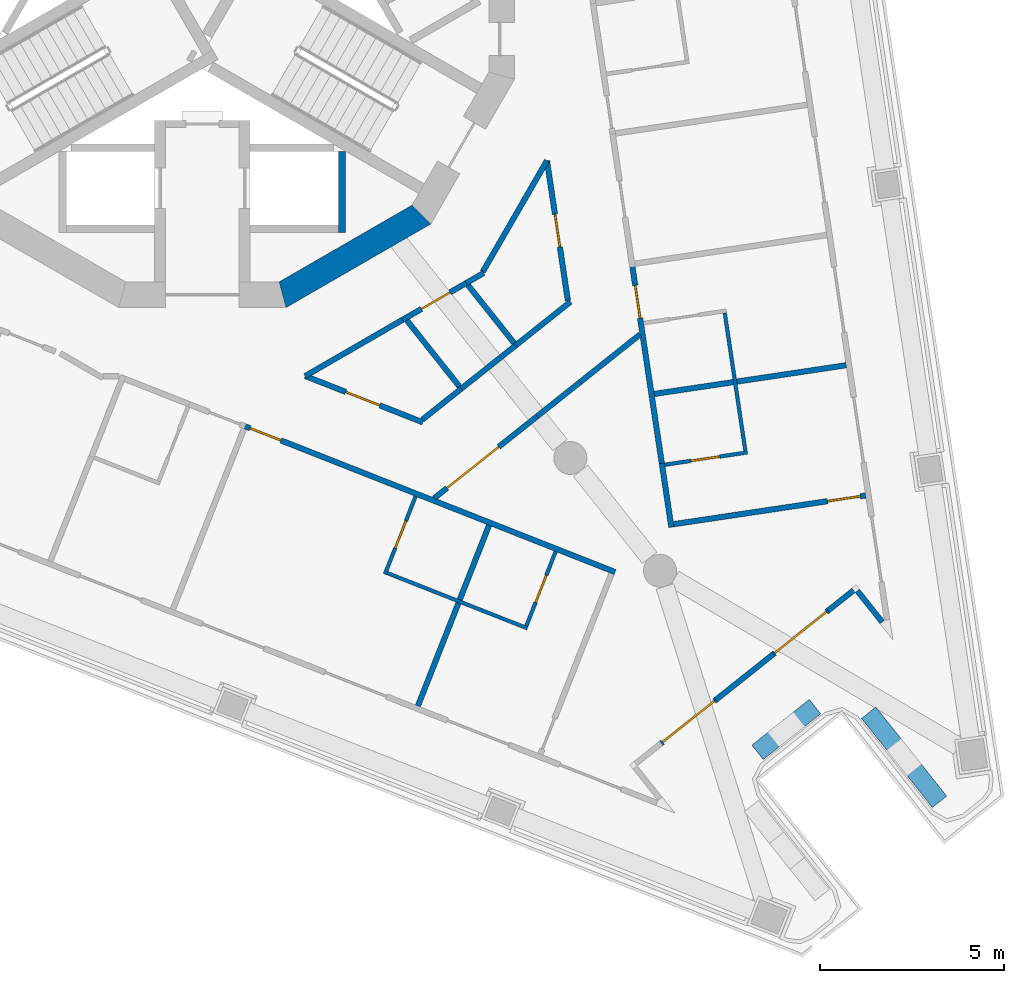
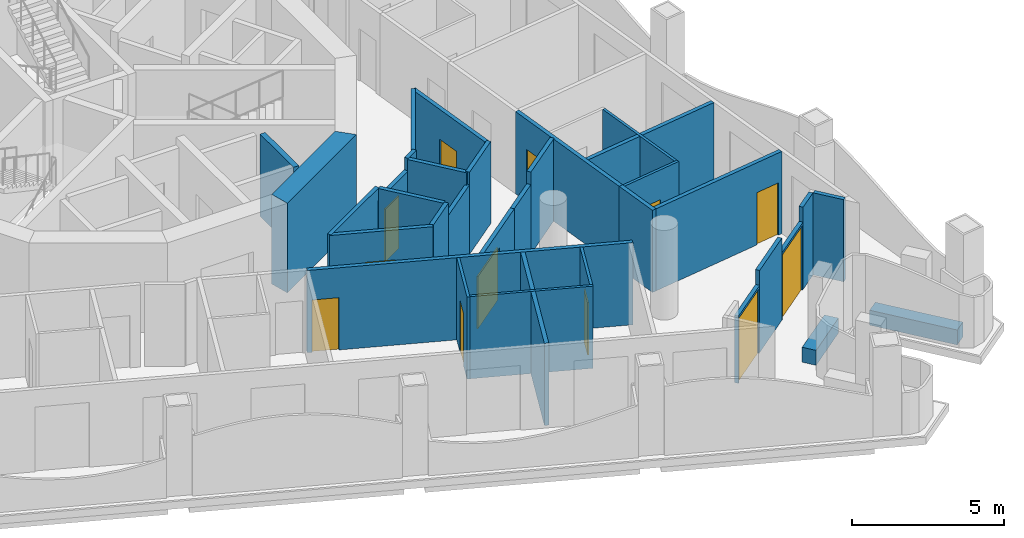
# One storey, part 5 of 17: 35 walls, 12 doors, 12 openings.
"""IFC4 building model written with IfcOpenShell, lengths in metres."""

import ifcopenshell
import ifcopenshell.guid

model = None  # the IFC model being written
_history = None  # IfcOwnerHistory: only IFC2X3 demands one
_inside = {}  # id of a spatial element -> (the spatial element, [elements in it])
_under = {}  # id of a project, library or spatial element -> (it, [spatial elements below it])
_declared = {}  # id of a project -> (the project, [libraries it declares])
_typed = {}  # id of a type object -> (the type object, [elements of that type])
_made_of = {}  # id of a material, layer set ... -> (it, [elements and type objects made of it])


def new_model(schema):
    """Start an empty IFC model of exactly this schema.

    Asked for "IFC4X3", IfcOpenShell would pick the latest addendum, in which some entities
    have other attributes; the version numbers below select the first issue.
    IFC2X3 requires an IfcOwnerHistory on every rooted entity: one is made here for all.
    """
    global model, _history
    if schema == "IFC4X3":
        model = ifcopenshell.file(schema_version=(4, 3, 0, 0))
    else:
        model = ifcopenshell.file(schema=schema)
    _inside.clear()
    _under.clear()
    _declared.clear()
    _typed.clear()
    _made_of.clear()
    _history = None
    if model.schema == "IFC2X3":
        org = make("IfcOrganization", Name="unknown")
        user = make(
            "IfcPersonAndOrganization",
            ThePerson=make("IfcPerson", FamilyName="unknown"),
            TheOrganization=org,
        )
        app = make(
            "IfcApplication",
            ApplicationDeveloper=org,
            Version="unknown",
            ApplicationFullName="unknown",
            ApplicationIdentifier="unknown",
        )
        _history = make(
            "IfcOwnerHistory",
            OwningUser=user,
            OwningApplication=app,
            ChangeAction="ADDED",
            CreationDate=0,
        )
    return model


def make(cls, **values):
    """One entity of the class cls with the attributes given. An attribute that is None is left unset."""
    return model.create_entity(
        cls, **{name: value for name, value in values.items() if value is not None}
    )


def rooted(cls, **values):
    """An entity with a GlobalId (a new one), such as an element, a storey or a relation."""
    return make(cls, GlobalId=ifcopenshell.guid.new(), OwnerHistory=_history, **values)


def si_unit(unit_type, name, prefix=None):
    """IfcSIUnit, for example si_unit("LENGTHUNIT", "METRE", prefix="MILLI")."""
    return make("IfcSIUnit", UnitType=unit_type, Prefix=prefix, Name=name)


def assignment(units):
    """IfcUnitAssignment: the units of a project."""
    return None if units is None else make("IfcUnitAssignment", Units=units)


def point(xyz):
    """IfcCartesianPoint."""
    return None if xyz is None else make("IfcCartesianPoint", Coordinates=xyz)


def direction(xyz):
    """IfcDirection."""
    return None if xyz is None else make("IfcDirection", DirectionRatios=xyz)


def frame(location, z_axis=None, x_axis=None):
    """IfcAxis2Placement3D, a coordinate frame: its origin and axes. An axis left out is left unset."""
    return make(
        "IfcAxis2Placement3D",
        Location=point(location),
        Axis=direction(z_axis),
        RefDirection=direction(x_axis),
    )


def frame_2d(location, x_axis=None):
    """IfcAxis2Placement2D, a coordinate frame in the plane: its origin and x axis."""
    return make(
        "IfcAxis2Placement2D", Location=point(location), RefDirection=direction(x_axis)
    )


def origin():
    """The frame at (0, 0, 0) with its axes left unset."""
    return frame((0.0, 0.0, 0.0))


def place(relative_to, where):
    """IfcLocalPlacement: puts the frame where relative to a parent placement (None: the world)."""
    return make(
        "IfcLocalPlacement", PlacementRelTo=relative_to, RelativePlacement=where
    )


def context(
    kind, dimensions, precision=None, world=None, true_north=None, identifier=None
):
    """IfcGeometricRepresentationContext, for example the 3D "Model" context."""
    return make(
        "IfcGeometricRepresentationContext",
        ContextIdentifier=identifier,
        ContextType=kind,
        CoordinateSpaceDimension=dimensions,
        Precision=precision,
        WorldCoordinateSystem=world,
        TrueNorth=true_north,
    )


def subcontext(parent, identifier, kind, view, scale=None):
    """IfcGeometricRepresentationSubContext, for example "Body" below "Model"."""
    return make(
        "IfcGeometricRepresentationSubContext",
        ContextIdentifier=identifier,
        ContextType=kind,
        ParentContext=parent,
        TargetScale=scale,
        TargetView=view,
    )


def project(units=None, contexts=None):
    """IfcProject with its units and contexts."""
    return rooted(
        "IfcProject",
        Name="project",
        RepresentationContexts=contexts,
        UnitsInContext=assignment(units),
    )


def spatial(cls, under=None, at=None, **own):
    """A site, building, storey or space (cls), placed at a placement, below another one or the project."""
    s = rooted(cls, ObjectPlacement=at, **own)
    if under is not None:
        _under.setdefault(under.id(), (under, []))[1].append(s)
    return s


def polyline(points):
    """IfcPolyline through the points."""
    return make("IfcPolyline", Points=[point(p) for p in points])


def profile(cls, at=None, kind="AREA", **sizes):
    """A parametric profile (cls). Its sizes go by their IFC names, for example OverallWidth=200.0."""
    return make(cls, ProfileType=kind, Position=at, **sizes)


def rectangle(**sizes):
    """IfcRectangleProfileDef."""
    return profile("IfcRectangleProfileDef", **sizes)


def outline(outer, holes=None, kind="AREA"):
    """IfcArbitraryClosedProfileDef: a profile drawn as a closed curve; with holes, ...WithVoids."""
    if holes is None:
        return make("IfcArbitraryClosedProfileDef", ProfileType=kind, OuterCurve=outer)
    return make(
        "IfcArbitraryProfileDefWithVoids",
        ProfileType=kind,
        OuterCurve=outer,
        InnerCurves=holes,
    )


def extrude(swept, where, along, depth):
    """IfcExtrudedAreaSolid: the profile swept, set in the frame where, extruded along a direction by depth."""
    return make(
        "IfcExtrudedAreaSolid",
        SweptArea=swept,
        Position=where,
        ExtrudedDirection=direction(along),
        Depth=depth,
    )


def shape(context_of_items, identifier, shape_type, items):
    """IfcShapeRepresentation: the items that make up one representation, for example the "Body"."""
    return make(
        "IfcShapeRepresentation",
        ContextOfItems=context_of_items,
        RepresentationIdentifier=identifier,
        RepresentationType=shape_type,
        Items=items,
    )


def material(Name=None, Category=None):
    """IfcMaterial."""
    return make("IfcMaterial", Name=Name, Category=Category)


def layer(
    of_material, thickness, ventilated=None, Name=None, Category=None, Priority=None
):
    """IfcMaterialLayer: one layer of a wall or slab, of a material (None: an air gap)."""
    return make(
        "IfcMaterialLayer",
        Material=of_material,
        LayerThickness=thickness,
        IsVentilated=ventilated,
        Name=Name,
        Category=Category,
        Priority=Priority,
    )


def layer_set(layers, Name=None):
    """IfcMaterialLayerSet."""
    return make("IfcMaterialLayerSet", MaterialLayers=layers, LayerSetName=Name)


def made_of(thing, what):
    """Note that an element or type object is made of a material, layer set ...; save() writes the relation."""
    if what is not None:
        _made_of.setdefault(what.id(), (what, []))[1].append(thing)
    return thing


def type_object(cls, material=None, **own):
    """A type object (cls), such as IfcWallType, which elements share."""
    return made_of(rooted(cls, **own), material)


def element(
    cls,
    number,
    at=None,
    inside=None,
    cuts=None,
    type_object=None,
    material=None,
    context=None,
    identifier="Body",
    shape_type=None,
    held_by="IfcProductDefinitionShape",
    body=None,
    shapes=None,
    **own,
):
    """One element of the class cls, such as IfcWall. Its Tag is "e" and its number.

    at: its placement. inside: the storey or other place that contains it. cuts: it is an
    opening in that element (IfcRelVoidsElement). A single representation is given by context,
    identifier, shape_type and body (its items); several are given by shapes. held_by: the class
    of the entity that holds the representations. save() writes the other relations.
    """
    e = rooted(cls, Tag="e%d" % number, ObjectPlacement=at, **own)
    if body is not None:
        shapes = [shape(context, identifier, shape_type, body)]
    if shapes is not None:
        e.Representation = make(held_by, Representations=shapes)
    if inside is not None:
        _inside.setdefault(inside.id(), (inside, []))[1].append(e)
    if cuts is not None:
        rooted(
            "IfcRelVoidsElement", RelatingBuildingElement=cuts, RelatedOpeningElement=e
        )
    if type_object is not None:
        _typed.setdefault(type_object.id(), (type_object, []))[1].append(e)
    return made_of(e, material)


def fill(opening, filler):
    """IfcRelFillsElement: the door or window that sits in an opening."""
    return rooted(
        "IfcRelFillsElement",
        RelatingOpeningElement=opening,
        RelatedBuildingElement=filler,
    )


def aggregate(whole, parts):
    """IfcRelAggregates: a whole, such as a stair, and the parts it consists of."""
    return rooted("IfcRelAggregates", RelatingObject=whole, RelatedObjects=parts)


def save(model, path):
    """Write the relations noted so far, then the file.

    IfcRelAggregates (storeys below a building ...), IfcRelContainedInSpatialStructure (elements
    in a storey), IfcRelDefinesByType, IfcRelAssociatesMaterial and IfcRelDeclares: one each for
    every whole, place, type object, material and project.
    """
    for whole, parts in _under.values():
        aggregate(whole, parts)
    for where, things in _inside.values():
        rooted(
            "IfcRelContainedInSpatialStructure",
            RelatedElements=things,
            RelatingStructure=where,
        )
    for kind, things in _typed.values():
        rooted("IfcRelDefinesByType", RelatedObjects=things, RelatingType=kind)
    for what, things in _made_of.values():
        rooted("IfcRelAssociatesMaterial", RelatedObjects=things, RelatingMaterial=what)
    for by, libraries in _declared.values():
        rooted("IfcRelDeclares", RelatingContext=by, RelatedDefinitions=libraries)
    model.write(path)


model = new_model("IFC4")

# Units and contexts
model_context = context("Model", 3, precision=1e-05, world=origin(), true_north=direction((0.0, 1.0)))
body_context = subcontext(model_context, "Body", "Model", "MODEL_VIEW")
ifc_project = project(units=[si_unit("LENGTHUNIT", "METRE"), si_unit("AREAUNIT", "SQUARE_METRE"), si_unit("VOLUMEUNIT", "CUBIC_METRE"), si_unit("PLANEANGLEUNIT", "RADIAN"), si_unit("MASSUNIT", "GRAM", prefix="KILO")], contexts=[model_context])

# Site, building, storey
site_placement = place(None, origin())
site = spatial("IfcSite", under=ifc_project, at=site_placement, CompositionType="ELEMENT")
building_placement = place(site_placement, origin())
building = spatial("IfcBuilding", under=site, at=building_placement, Name="Trine Commons Tower", CompositionType="ELEMENT")
storey_placement = place(building_placement, frame((0.0, 0.0, 212.39990234375)))
storey = spatial("IfcBuildingStorey", under=building, at=storey_placement, Name="L55", CompositionType="ELEMENT", Elevation=212.39990234375)

# Walls
ifc_material_1 = material(Name="Aluminium-framed insulated wall panel", Category="aluminium")
ifc_layer_1 = layer(ifc_material_1, 0.14990234375)
ifc_layer_set_1 = layer_set([ifc_layer_1], Name="Aluminium-framed insulated wall panel")
wall_type_1 = type_object("IfcWallType", Name="Glazed frame wall 150, EI 60", PredefinedType="SOLIDWALL", material=ifc_layer_set_1)
wall_1_placement = place(storey_placement, frame((98.603759765625, 45.320556640625, 0.0), z_axis=(0.0, 0.0, 1.0), x_axis=(-0.6225008228, 0.782619144676, 0.0)))
element("IfcWall", 1, at=wall_1_placement, inside=storey, type_object=wall_type_1, Name="Glazed frame wall R6", PredefinedType="SOLIDWALL", context=body_context, shape_type="SweptSolid", body=[
    extrude(outline(polyline([(0.1494140625, 0.074951171875), (0.1494140625, -0.074951171875), (1.235107421875, -0.074951171875), (1.235107421875, 0.074951171875), (0.1494140625, 0.074951171875)])), origin(), (0.0, 0.0, 1.0), 3.300048828125),
])
wall_2_placement = place(storey_placement, frame((97.815673828125, 46.367431640625, 0.0), z_axis=(0.0, 0.0, 1.0), x_axis=(-0.78265242488, -0.622458980037, 0.0)))
element("IfcWall", 2, at=wall_2_placement, inside=storey, type_object=wall_type_1, Name="Glazed frame wall P2.1", PredefinedType="SOLIDWALL", context=body_context, shape_type="SweptSolid", body=[
    extrude(outline(polyline([(0.110107421875, -0.074951171875), (1.0, -0.074951171875), (1.0, 0.074951171875), (0.110107421875, 0.074951171875), (0.110107421875, -0.074951171875)])), origin(), (0.0, 0.0, 1.0), 3.300048828125),
])

# Wall, opening, door
wall_3_placement = place(storey_placement, frame((97.033203125, 45.7451171875, 0.0), z_axis=(0.0, 0.0, 1.0), x_axis=(-0.782608167395, -0.622514623384, 0.0)))
wall_3 = element("IfcWall", 3, at=wall_3_placement, inside=storey, type_object=wall_type_1, Name="Glazed frame wall P2.2", PredefinedType="SOLIDWALL", context=body_context, shape_type="SweptSolid", body=[
    extrude(outline(polyline([(0.0, -0.074951171875), (1.89990234375, -0.074951171875), (1.89990234375, 0.074951171875), (0.0, 0.074951171875), (0.0, -0.074951171875)])), origin(), (0.0, 0.0, 1.0), 2.7001953125),
])
opening_1_placement = place(wall_3_placement, frame((0.050048828125, 0.0, 0.0)))
opening_1 = element("IfcOpeningElement", 4, at=opening_1_placement, cuts=wall_3, Name="Opening BD-6P2-01", PredefinedType="OPENING", context=body_context, shape_type="SweptSolid", body=[
    extrude(rectangle(XDim=1.800048828125, YDim=2.60009765625, at=frame_2d((0.89990234375, 1.300048828125))), frame((0.0, 0.0849609375, 0.0), z_axis=(0.0, -1.0, 0.0), x_axis=(1.0, 0.0, 0.0)), (0.0, 0.0, 1.0), 0.169921875),
])
ifc_material_2 = material(Name="Anodised aluminium frame with double glazing", Category="aluminium")
door_type_1 = type_object("IfcDoorType", Name="Sliding loggia door 1800x2600", OperationType="SLIDING_TO_LEFT", PredefinedType="DOOR", material=ifc_material_2)
door_1_placement = place(opening_1_placement, origin())
door_1 = element("IfcDoor", 5, at=door_1_placement, inside=storey, type_object=door_type_1, Name="Loggia door P2 1", OperationType="SLIDING_TO_LEFT", OverallHeight=2.60009765625, OverallWidth=1.800048828125, PredefinedType="DOOR", context=body_context, shape_type="SweptSolid", body=[
    extrude(rectangle(XDim=1.800048828125, YDim=2.60009765625, at=frame_2d((0.89990234375, 1.300048828125))), frame((0.0, 0.02490234375, 0.0), z_axis=(0.0, -1.0, 0.0), x_axis=(1.0, 0.0, 0.0)), (0.0, 0.0, 1.0), 0.050048828125),
])
fill(opening_1, door_1)

# Wall
wall_4_placement = place(storey_placement, frame((95.546142578125, 44.562255859375, 0.0), z_axis=(0.0, 0.0, 1.0), x_axis=(-0.782580779818, -0.622549052733, 0.0)))
element("IfcWall", 6, at=wall_4_placement, inside=storey, type_object=wall_type_1, Name="Glazed frame wall P2.3", PredefinedType="SOLIDWALL", context=body_context, shape_type="SweptSolid", body=[
    extrude(outline(polyline([(0.0, -0.074951171875), (2.0, -0.074951171875), (2.0, 0.074951171875), (0.0, 0.074951171875), (0.0, -0.074951171875)])), origin(), (0.0, 0.0, 1.0), 3.300048828125),
])

# Wall, opening, door
wall_5_placement = place(storey_placement, frame((93.98095703125, 43.317138671875, 0.0), z_axis=(0.0, 0.0, 1.0), x_axis=(-0.782670764896, -0.622435919415, 0.0)))
wall_5 = element("IfcWall", 7, at=wall_5_placement, inside=storey, type_object=wall_type_1, Name="Glazed frame wall P2.4", PredefinedType="SOLIDWALL", context=body_context, shape_type="SweptSolid", body=[
    extrude(outline(polyline([(0.0, -0.074951171875), (1.89990234375, -0.074951171875), (1.89990234375, 0.074951171875), (0.0, 0.074951171875), (0.0, -0.074951171875)])), origin(), (0.0, 0.0, 1.0), 2.7001953125),
])
opening_2_placement = place(wall_5_placement, frame((0.050048828125, 0.0, 0.0)))
opening_2 = element("IfcOpeningElement", 8, at=opening_2_placement, cuts=wall_5, Name="Opening BD-6P2-02", PredefinedType="OPENING", context=body_context, shape_type="SweptSolid", body=[
    extrude(rectangle(XDim=1.800048828125, YDim=2.60009765625, at=frame_2d((0.89990234375, 1.300048828125))), frame((0.0, 0.0849609375, 0.0), z_axis=(0.0, -1.0, 0.0), x_axis=(1.0, 0.0, 0.0)), (0.0, 0.0, 1.0), 0.169921875),
])
door_2_placement = place(opening_2_placement, origin())
door_2 = element("IfcDoor", 9, at=door_2_placement, inside=storey, type_object=door_type_1, Name="Loggia door P2 2", OperationType="SLIDING_TO_LEFT", OverallHeight=2.60009765625, OverallWidth=1.800048828125, PredefinedType="DOOR", context=body_context, shape_type="SweptSolid", body=[
    extrude(rectangle(XDim=1.800048828125, YDim=2.60009765625, at=frame_2d((0.89990234375, 1.300048828125))), frame((0.0, 0.02490234375, 0.0), z_axis=(0.0, -1.0, 0.0), x_axis=(1.0, 0.0, 0.0)), (0.0, 0.0, 1.0), 0.050048828125),
])
fill(opening_2, door_2)

# Walls
ifc_material_3 = material(Name="Planter trough, precast concrete C40/50", Category="concrete")
ifc_layer_2 = layer(ifc_material_3, 0.5)
ifc_layer_set_2 = layer_set([ifc_layer_2], Name="Planter trough, precast concrete C40/50")
wall_type_2 = type_object("IfcWallType", Name="Planter trough 500x600", PredefinedType="PARAPET", material=ifc_layer_set_2)
wall_6_placement = place(storey_placement, frame((100.0732421875, 40.54150390625, 0.0), z_axis=(0.0, 0.0, 1.0), x_axis=(-0.622502736232, 0.782617622715, 0.0)))
element("IfcWall", 10, at=wall_6_placement, inside=storey, type_object=wall_type_2, Name="Planter 7", PredefinedType="PARAPET", context=body_context, shape_type="SweptSolid", body=[
    extrude(rectangle(XDim=3.099853515625, YDim=0.5, at=frame_2d((1.5498046875, 0.0))), origin(), (0.0, 0.0, 1.0), 0.60009765625),
])
wall_7_placement = place(storey_placement, frame((96.68212890625, 43.134033203125, 0.0), z_axis=(0.0, 0.0, 1.0), x_axis=(-0.782580779818, -0.622549052733, 0.0)))
element("IfcWall", 11, at=wall_7_placement, inside=storey, type_object=wall_type_2, Name="Planter 8", PredefinedType="PARAPET", context=body_context, shape_type="SweptSolid", body=[
    extrude(rectangle(XDim=2.0, YDim=0.5, at=frame_2d((1.0, 0.0))), origin(), (0.0, 0.0, 1.0), 0.60009765625),
])
ifc_material_4 = material(Name="Concrete C60/75", Category="concrete")
ifc_layer_3 = layer(ifc_material_4, 0.699951171875)
ifc_layer_set_3 = layer_set([ifc_layer_3], Name="Concrete C60/75")
wall_type_3 = type_object("IfcWallType", Name="RC shear wall 700 mm, C60/75", PredefinedType="SHEAR", material=ifc_layer_set_3)
wall_8_placement = place(storey_placement, frame((82.1025390625, 54.302978515625, 0.0), z_axis=(0.0, 0.0, 1.0), x_axis=(0.866034756103, 0.499983800959, 0.0)))
element("IfcWall", 12, at=wall_8_placement, inside=storey, type_object=wall_type_3, Name="Core wall CWF-11 L55", PredefinedType="SHEAR", context=body_context, shape_type="SweptSolid", body=[
    extrude(outline(polyline([(0.0, -0.35009765625), (4.55517578125, -0.35009765625), (4.36767578125, 0.35009765625), (0.1875, 0.35009765625), (0.0, -0.35009765625)])), origin(), (0.0, 0.0, 1.0), 3.60009765625),
])
ifc_material_5 = material(Name="Fire-rated gypsum shaft wall system")
ifc_layer_4 = layer(ifc_material_5, 0.199951171875)
ifc_layer_set_4 = layer_set([ifc_layer_4], Name="Fire-rated gypsum shaft wall system")
wall_type_4 = type_object("IfcWallType", Name="Shaft wall 200 mm, EI 120", PredefinedType="PARTITIONING", material=ifc_layer_set_4)
wall_9_placement = place(storey_placement, frame((83.800048828125, 58.257080078125, 0.0), z_axis=(0.0, 0.0, 1.0), x_axis=(0.0, -1.0, 0.0)))
element("IfcWall", 13, at=wall_9_placement, inside=storey, type_object=wall_type_4, Name="Shaft wall L55", PredefinedType="PARTITIONING", context=body_context, shape_type="SweptSolid", body=[
    extrude(rectangle(XDim=2.20703125, YDim=0.199951171875, at=frame_2d((1.103515625, 0.0))), origin(), (0.0, 0.0, 1.0), 3.300048828125),
])

# Wall, opening, door
ifc_material_6 = material(Name="Gypsum plasterboard on steel stud", Category="steel")
ifc_layer_5 = layer(ifc_material_6, 0.14990234375)
ifc_layer_set_5 = layer_set([ifc_layer_5], Name="Gypsum plasterboard on steel stud")
wall_type_5 = type_object("IfcWallType", Name="Unit and corridor wall 150 mm, EI 60", PredefinedType="PARTITIONING", material=ifc_layer_set_5)
wall_10_placement = place(storey_placement, frame((81.156982421875, 50.77001953125, 0.0), z_axis=(0.0, 0.0, 1.0), x_axis=(0.930383245672, -0.366588347023, 0.0)))
wall_10 = element("IfcWall", 14, at=wall_10_placement, inside=storey, type_object=wall_type_5, Name="Partition 071", PredefinedType="PARTITIONING", context=body_context, shape_type="SweptSolid", body=[
    extrude(rectangle(XDim=10.836181640625, YDim=0.14990234375, at=frame_2d((5.41796875, 0.0))), origin(), (0.0, 0.0, 1.0), 3.300048828125),
])
opening_3_placement = place(wall_10_placement, frame((0.153564453125, 0.0, 0.0)))
opening_3 = element("IfcOpeningElement", 15, at=opening_3_placement, cuts=wall_10, Name="Opening D-6B22", PredefinedType="OPENING", context=body_context, shape_type="SweptSolid", body=[
    extrude(rectangle(XDim=0.89990234375, YDim=2.10009765625, at=frame_2d((0.449951171875, 1.050048828125))), frame((0.0, 0.0849609375, 0.0), z_axis=(0.0, -1.0, 0.0), x_axis=(1.0, 0.0, 0.0)), (0.0, 0.0, 1.0), 0.169921875),
])
ifc_material_7 = material(Name="Timber fire door set", Category="wood")
door_type_2 = type_object("IfcDoorType", Name="Bedroom door 900 x 2100, FD30S", OperationType="NOTDEFINED", PredefinedType="DOOR", material=ifc_material_7)
door_3_placement = place(opening_3_placement, frame((0.89990234375, 0.0, 0.0), z_axis=(0.0, 0.0, 1.0), x_axis=(-1.0, 0.0, 0.0)))
door_3 = element("IfcDoor", 16, at=door_3_placement, inside=storey, type_object=door_type_2, Name="Door D-6B22", OperationType="SINGLE_SWING_RIGHT", OverallHeight=2.10009765625, OverallWidth=0.89990234375, PredefinedType="DOOR", context=body_context, shape_type="SweptSolid", body=[
    extrude(rectangle(XDim=0.89990234375, YDim=2.10009765625, at=frame_2d((0.449951171875, 1.050048828125))), frame((0.0, 0.02490234375, 0.0), z_axis=(0.0, -1.0, 0.0), x_axis=(1.0, 0.0, 0.0)), (0.0, 0.0, 1.0), 0.050048828125),
])
fill(opening_3, door_3)

# Wall
wall_11_placement = place(storey_placement, frame((82.798095703125, 52.135009765625, 0.0), z_axis=(0.0, 0.0, 1.0), x_axis=(0.865882230694, 0.500247901113, 0.0)))
element("IfcWall", 17, at=wall_11_placement, inside=storey, type_object=wall_type_5, Name="Partition 078", PredefinedType="PARTITIONING", context=body_context, shape_type="SweptSolid", body=[
    extrude(rectangle(XDim=3.150390625, YDim=0.14990234375, at=frame_2d((1.5751953125, 0.0))), origin(), (0.0, 0.0, 1.0), 3.300048828125),
])

# Wall, opening, door
wall_12_placement = place(storey_placement, frame((82.801025390625, 52.136962890625, 0.0), z_axis=(0.0, 0.0, 1.0), x_axis=(0.930387129981, -0.366578488685, 0.0)))
wall_12 = element("IfcWall", 18, at=wall_12_placement, inside=storey, type_object=wall_type_5, Name="Partition 079", PredefinedType="PARTITIONING", context=body_context, shape_type="SweptSolid", body=[
    extrude(rectangle(XDim=3.441162109375, YDim=0.14990234375, at=frame_2d((1.720703125, 0.0))), origin(), (0.0, 0.0, 1.0), 3.300048828125),
])
opening_4_placement = place(wall_12_placement, frame((1.18310546875, 0.0, 0.0)))
opening_4 = element("IfcOpeningElement", 19, at=opening_4_placement, cuts=wall_12, Name="Opening D-6B32", PredefinedType="OPENING", context=body_context, shape_type="SweptSolid", body=[
    extrude(rectangle(XDim=1.0, YDim=2.10009765625, at=frame_2d((0.5, 1.050048828125))), frame((0.0, 0.0849609375, 0.0), z_axis=(0.0, -1.0, 0.0), x_axis=(1.0, 0.0, 0.0)), (0.0, 0.0, 1.0), 0.169921875),
])
ifc_material_8 = material(Name="Painted timber", Category="wood")
door_type_3 = type_object("IfcDoorType", Name="Toilet door 1000 x 2100, NOT RATED", OperationType="NOTDEFINED", PredefinedType="DOOR", material=ifc_material_8)
door_4_placement = place(opening_4_placement, origin())
door_4 = element("IfcDoor", 20, at=door_4_placement, inside=storey, type_object=door_type_3, Name="Door D-6B32", OperationType="SINGLE_SWING_LEFT", OverallHeight=2.10009765625, OverallWidth=1.0, PredefinedType="DOOR", context=body_context, shape_type="SweptSolid", body=[
    extrude(rectangle(XDim=1.0, YDim=2.10009765625, at=frame_2d((0.5, 1.050048828125))), frame((0.0, 0.02490234375, 0.0), z_axis=(0.0, -1.0, 0.0), x_axis=(1.0, 0.0, 0.0)), (0.0, 0.0, 1.0), 0.050048828125),
])
fill(opening_4, door_4)

wall_13_placement = place(storey_placement, frame((85.455078125, 53.66943359375, 0.0), z_axis=(0.0, 0.0, 1.0), x_axis=(0.866036909293, 0.499980071345, 0.0)))
wall_13 = element("IfcWall", 21, at=wall_13_placement, inside=storey, type_object=wall_type_5, Name="Partition 093", PredefinedType="PARTITIONING", context=body_context, shape_type="SweptSolid", body=[
    extrude(rectangle(XDim=2.078125, YDim=0.14990234375, at=frame_2d((1.0390625, 0.0))), origin(), (0.0, 0.0, 1.0), 2.800048828125),
])
opening_5_placement = place(wall_13_placement, frame((0.589111328125, 0.0, 0.0)))
opening_5 = element("IfcOpeningElement", 22, at=opening_5_placement, cuts=wall_13, Name="Opening D-6B33", PredefinedType="OPENING", context=body_context, shape_type="SweptSolid", body=[
    extrude(rectangle(XDim=0.89990234375, YDim=2.10009765625, at=frame_2d((0.449951171875, 1.050048828125))), frame((0.0, 0.0849609375, 0.0), z_axis=(0.0, -1.0, 0.0), x_axis=(1.0, 0.0, 0.0)), (0.0, 0.0, 1.0), 0.169921875),
])
door_type_4 = type_object("IfcDoorType", Name="Service door 900 x 2100, FD30S", OperationType="NOTDEFINED", PredefinedType="DOOR", material=ifc_material_7)
door_5_placement = place(opening_5_placement, frame((0.89990234375, 0.0, 0.0), z_axis=(0.0, 0.0, 1.0), x_axis=(-1.0, 0.0, 0.0)))
door_5 = element("IfcDoor", 23, at=door_5_placement, inside=storey, type_object=door_type_4, Name="Door D-6B33", OperationType="SINGLE_SWING_RIGHT", OverallHeight=2.10009765625, OverallWidth=0.89990234375, PredefinedType="DOOR", context=body_context, shape_type="SweptSolid", body=[
    extrude(rectangle(XDim=0.89990234375, YDim=2.10009765625, at=frame_2d((0.449951171875, 1.050048828125))), frame((0.0, 0.02490234375, 0.0), z_axis=(0.0, -1.0, 0.0), x_axis=(1.0, 0.0, 0.0)), (0.0, 0.0, 1.0), 0.050048828125),
])
fill(opening_5, door_5)

# Walls
wall_14_placement = place(storey_placement, frame((85.569580078125, 53.650390625, 0.0), z_axis=(0.0, 0.0, 1.0), x_axis=(0.622570822847, -0.78256346103, 0.0)))
element("IfcWall", 24, at=wall_14_placement, inside=storey, type_object=wall_type_5, Name="Partition 094", PredefinedType="PARTITIONING", context=body_context, shape_type="SweptSolid", body=[
    extrude(rectangle(XDim=2.301025390625, YDim=0.14990234375, at=frame_2d((1.150390625, 0.0))), origin(), (0.0, 0.0, 1.0), 3.300048828125),
])
wall_15_placement = place(storey_placement, frame((85.86865234375, 43.152099609375, 0.0), z_axis=(0.0, 0.0, 1.0), x_axis=(0.366408201445, 0.930454206242, 0.0)))
element("IfcWall", 25, at=wall_15_placement, inside=storey, type_object=wall_type_5, Name="Partition 095", PredefinedType="PARTITIONING", context=body_context, shape_type="SweptSolid", body=[
    extrude(rectangle(XDim=5.285888671875, YDim=0.14990234375, at=frame_2d((2.64306640625, 0.0))), origin(), (0.0, 0.0, 1.0), 3.300048828125),
])
wall_16_placement = place(storey_placement, frame((85.99169921875, 50.94970703125, 0.0), z_axis=(0.0, 0.0, 1.0), x_axis=(0.7826589169, 0.622450817171, 0.0)))
element("IfcWall", 26, at=wall_16_placement, inside=storey, type_object=wall_type_5, Name="Partition 096", PredefinedType="PARTITIONING", context=body_context, shape_type="SweptSolid", body=[
    extrude(rectangle(XDim=1.354736328125, YDim=0.14990234375, at=frame_2d((0.67724609375, 0.0))), origin(), (0.0, 0.0, 1.0), 3.300048828125),
])

# Wall, opening, door
wall_17_placement = place(storey_placement, frame((86.311767578125, 48.80859375, 0.0), z_axis=(0.0, 0.0, 1.0), x_axis=(0.782487894098, 0.622665797672, 0.0)))
wall_17 = element("IfcWall", 27, at=wall_17_placement, inside=storey, type_object=wall_type_5, Name="Partition 097", PredefinedType="PARTITIONING", context=body_context, shape_type="SweptSolid", body=[
    extrude(rectangle(XDim=3.583740234375, YDim=0.14990234375, at=frame_2d((1.7919921875, 0.0))), origin(), (0.0, 0.0, 1.0), 2.800048828125),
])
opening_6_placement = place(wall_17_placement, frame((0.44677734375, 0.0, 0.0)))
opening_6 = element("IfcOpeningElement", 28, at=opening_6_placement, cuts=wall_17, Name="Opening D-6B02", PredefinedType="OPENING", context=body_context, shape_type="SweptSolid", body=[
    extrude(rectangle(XDim=1.800048828125, YDim=2.10009765625, at=frame_2d((0.89990234375, 1.050048828125))), frame((0.0, 0.0849609375, 0.0), z_axis=(0.0, -1.0, 0.0), x_axis=(1.0, 0.0, 0.0)), (0.0, 0.0, 1.0), 0.169921875),
])
door_type_5 = type_object("IfcDoorType", Name="Cluster entrance door 1800 x 2100, double leaf, FD30S", OperationType="DOUBLE_DOOR_DOUBLE_SWING", PredefinedType="DOOR", material=ifc_material_7)
door_6_placement = place(opening_6_placement, frame((1.800048828125, 0.0, 0.0), z_axis=(0.0, 0.0, 1.0), x_axis=(-1.0, 0.0, 0.0)))
door_6 = element("IfcDoor", 29, at=door_6_placement, inside=storey, type_object=door_type_5, Name="Door D-6B02", OperationType="DOUBLE_DOOR_DOUBLE_SWING", OverallHeight=2.10009765625, OverallWidth=1.800048828125, PredefinedType="DOOR", context=body_context, shape_type="SweptSolid", body=[
    extrude(rectangle(XDim=1.800048828125, YDim=2.10009765625, at=frame_2d((0.89990234375, 1.050048828125))), frame((0.0, 0.02490234375, 0.0), z_axis=(0.0, -1.0, 0.0), x_axis=(1.0, 0.0, 0.0)), (0.0, 0.0, 1.0), 0.050048828125),
])
fill(opening_6, door_6)

# Walls
wall_18_placement = place(storey_placement, frame((87.0458984375, 51.7890625, 0.0), z_axis=(0.0, 0.0, 1.0), x_axis=(0.782788084562, 0.622288369382, 0.0)))
element("IfcWall", 30, at=wall_18_placement, inside=storey, type_object=wall_type_5, Name="Partition 099", PredefinedType="PARTITIONING", context=body_context, shape_type="SweptSolid", body=[
    extrude(rectangle(XDim=1.907470703125, YDim=0.14990234375, at=frame_2d((0.95361328125, 0.0))), origin(), (0.0, 0.0, 1.0), 2.800048828125),
])
wall_19_placement = place(storey_placement, frame((87.18408203125, 54.6669921875, 0.0), z_axis=(0.0, 0.0, 1.0), x_axis=(0.86530467385, 0.501246268228, 0.0)))
element("IfcWall", 31, at=wall_19_placement, inside=storey, type_object=wall_type_5, Name="Partition 101", PredefinedType="PARTITIONING", context=body_context, shape_type="SweptSolid", body=[
    extrude(rectangle(XDim=0.5498046875, YDim=0.14990234375, at=frame_2d((0.27490234375, 0.0))), origin(), (0.0, 0.0, 1.0), 3.300048828125),
])
wall_20_placement = place(storey_placement, frame((87.233642578125, 54.6103515625, 0.0), z_axis=(0.0, 0.0, 1.0), x_axis=(0.622728304136, -0.782438150417, 0.0)))
element("IfcWall", 32, at=wall_20_placement, inside=storey, type_object=wall_type_5, Name="Partition 102", PredefinedType="PARTITIONING", context=body_context, shape_type="SweptSolid", body=[
    extrude(rectangle(XDim=2.09130859375, YDim=0.14990234375, at=frame_2d((1.045654296875, 0.0))), origin(), (0.0, 0.0, 1.0), 3.300048828125),
])
wall_21_placement = place(storey_placement, frame((87.632568359375, 54.969970703125, 0.0), z_axis=(0.0, 0.0, 1.0), x_axis=(0.50005009493, 0.865996479531, 0.0)))
element("IfcWall", 33, at=wall_21_placement, inside=storey, type_object=wall_type_5, Name="Partition 103", PredefinedType="PARTITIONING", context=body_context, shape_type="SweptSolid", body=[
    extrude(rectangle(XDim=3.504638671875, YDim=0.14990234375, at=frame_2d((1.75244140625, 0.0))), origin(), (0.0, 0.0, 1.0), 3.300048828125),
])
wall_22_placement = place(storey_placement, frame((88.532958984375, 52.971923828125, 0.0), z_axis=(0.0, 0.0, 1.0), x_axis=(0.78260389247, 0.622519997663, 0.0)))
element("IfcWall", 34, at=wall_22_placement, inside=storey, type_object=wall_type_5, Name="Partition 110", PredefinedType="PARTITIONING", context=body_context, shape_type="SweptSolid", body=[
    extrude(rectangle(XDim=1.90478515625, YDim=0.14990234375, at=frame_2d((0.952392578125, 0.0))), origin(), (0.0, 0.0, 1.0), 3.300048828125),
])
wall_23_placement = place(storey_placement, frame((89.115966796875, 51.0400390625, 0.0), z_axis=(0.0, 0.0, 1.0), x_axis=(0.7828906441, 0.622159336007, 0.0)))
element("IfcWall", 35, at=wall_23_placement, inside=storey, type_object=wall_type_5, Name="Partition 112", PredefinedType="PARTITIONING", context=body_context, shape_type="SweptSolid", body=[
    extrude(rectangle(XDim=1.4931640625, YDim=0.14990234375, at=frame_2d((0.74658203125, 0.0))), origin(), (0.0, 0.0, 1.0), 2.800048828125),
])

# Wall, opening, door
wall_24_placement = place(storey_placement, frame((89.383056640625, 58.001953125, 0.0), z_axis=(0.0, 0.0, 1.0), x_axis=(0.14791043165, -0.989000760469, 0.0)))
wall_24 = element("IfcWall", 36, at=wall_24_placement, inside=storey, type_object=wall_type_5, Name="Partition 115", PredefinedType="PARTITIONING", context=body_context, shape_type="SweptSolid", body=[
    extrude(rectangle(XDim=3.859130859375, YDim=0.14990234375, at=frame_2d((1.9296875, 0.0))), origin(), (0.0, 0.0, 1.0), 3.300048828125),
])
opening_7_placement = place(wall_24_placement, frame((1.4794921875, 0.0, 0.0)))
opening_7 = element("IfcOpeningElement", 37, at=opening_7_placement, cuts=wall_24, Name="Opening D-6B29", PredefinedType="OPENING", context=body_context, shape_type="SweptSolid", body=[
    extrude(rectangle(XDim=0.89990234375, YDim=2.10009765625, at=frame_2d((0.449951171875, 1.050048828125))), frame((0.0, 0.0849609375, 0.0), z_axis=(0.0, -1.0, 0.0), x_axis=(1.0, 0.0, 0.0)), (0.0, 0.0, 1.0), 0.169921875),
])
door_7_placement = place(opening_7_placement, frame((0.89990234375, 0.0, 0.0), z_axis=(0.0, 0.0, 1.0), x_axis=(-1.0, 0.0, 0.0)))
door_7 = element("IfcDoor", 38, at=door_7_placement, inside=storey, type_object=door_type_4, Name="Door D-6B29", OperationType="SINGLE_SWING_RIGHT", OverallHeight=2.10009765625, OverallWidth=0.89990234375, PredefinedType="DOOR", context=body_context, shape_type="SweptSolid", body=[
    extrude(rectangle(XDim=0.89990234375, YDim=2.10009765625, at=frame_2d((0.449951171875, 1.050048828125))), frame((0.0, 0.02490234375, 0.0), z_axis=(0.0, -1.0, 0.0), x_axis=(1.0, 0.0, 0.0)), (0.0, 0.0, 1.0), 0.050048828125),
])
fill(opening_7, door_7)

# Wall
wall_25_placement = place(storey_placement, frame((90.284912109375, 51.968994140625, 0.0), z_axis=(0.0, 0.0, 1.0), x_axis=(0.782529911794, 0.622612991471, 0.0)))
element("IfcWall", 39, at=wall_25_placement, inside=storey, type_object=wall_type_5, Name="Partition 123", PredefinedType="PARTITIONING", context=body_context, shape_type="SweptSolid", body=[
    extrude(rectangle(XDim=2.090087890625, YDim=0.14990234375, at=frame_2d((1.044921875, 0.0))), origin(), (0.0, 0.0, 1.0), 3.300048828125),
])

# Wall, opening, door
wall_26_placement = place(storey_placement, frame((91.698974609375, 55.18798828125, 0.0), z_axis=(0.0, 0.0, 1.0), x_axis=(0.147922673627, -0.988998929538, 0.0)))
wall_26 = element("IfcWall", 40, at=wall_26_placement, inside=storey, type_object=wall_type_5, Name="Partition 133", PredefinedType="PARTITIONING", context=body_context, shape_type="SweptSolid", body=[
    extrude(rectangle(XDim=5.5439453125, YDim=0.14990234375, at=frame_2d((2.77197265625, 0.0))), origin(), (0.0, 0.0, 1.0), 3.300048828125),
])
opening_8_placement = place(wall_26_placement, frame((0.590087890625, 0.0, 0.0)))
opening_8 = element("IfcOpeningElement", 41, at=opening_8_placement, cuts=wall_26, Name="Opening D-6B19", PredefinedType="OPENING", context=body_context, shape_type="SweptSolid", body=[
    extrude(rectangle(XDim=0.89990234375, YDim=2.10009765625, at=frame_2d((0.449951171875, 1.050048828125))), frame((0.0, 0.0849609375, 0.0), z_axis=(0.0, -1.0, 0.0), x_axis=(1.0, 0.0, 0.0)), (0.0, 0.0, 1.0), 0.169921875),
])
door_8_placement = place(opening_8_placement, origin())
door_8 = element("IfcDoor", 42, at=door_8_placement, inside=storey, type_object=door_type_2, Name="Door D-6B19", OperationType="SINGLE_SWING_LEFT", OverallHeight=2.10009765625, OverallWidth=0.89990234375, PredefinedType="DOOR", context=body_context, shape_type="SweptSolid", body=[
    extrude(rectangle(XDim=0.89990234375, YDim=2.10009765625, at=frame_2d((0.449951171875, 1.050048828125))), frame((0.0, 0.02490234375, 0.0), z_axis=(0.0, -1.0, 0.0), x_axis=(1.0, 0.0, 0.0)), (0.0, 0.0, 1.0), 0.050048828125),
])
fill(opening_8, door_8)

# Walls
wall_27_placement = place(storey_placement, frame((92.30419921875, 51.649169921875, 0.0), z_axis=(0.0, 0.0, 1.0), x_axis=(0.989097136126, 0.147264575874, 0.0)))
element("IfcWall", 43, at=wall_27_placement, inside=storey, type_object=wall_type_5, Name="Partition 136", PredefinedType="PARTITIONING", context=body_context, shape_type="SweptSolid", body=[
    extrude(rectangle(XDim=2.175048828125, YDim=0.14990234375, at=frame_2d((1.08740234375, 0.0))), origin(), (0.0, 0.0, 1.0), 3.300048828125),
])
wall_28_placement = place(storey_placement, frame((92.510498046875, 49.762451171875, 0.0), z_axis=(0.0, 0.0, 1.0), x_axis=(0.147596346484, -0.989047682624, 0.0)))
element("IfcWall", 44, at=wall_28_placement, inside=storey, type_object=wall_type_5, Name="Partition 137", PredefinedType="PARTITIONING", context=body_context, shape_type="SweptSolid", body=[
    extrude(rectangle(XDim=1.764892578125, YDim=0.14990234375, at=frame_2d((0.88232421875, 0.0))), origin(), (0.0, 0.0, 1.0), 3.300048828125),
])

# Wall, opening, door
wall_29_placement = place(storey_placement, frame((92.834228515625, 48.10205078125, 0.0), z_axis=(0.0, 0.0, 1.0), x_axis=(0.989020900083, 0.147775705715, 0.0)))
wall_29 = element("IfcWall", 45, at=wall_29_placement, inside=storey, type_object=wall_type_5, Name="Partition 140", PredefinedType="PARTITIONING", context=body_context, shape_type="SweptSolid", body=[
    extrude(rectangle(XDim=5.28515625, YDim=0.14990234375, at=frame_2d((2.642578125, 0.0))), origin(), (0.0, 0.0, 1.0), 3.300048828125),
])
opening_9_placement = place(wall_29_placement, frame((4.2353515625, 0.0, 0.0)))
opening_9 = element("IfcOpeningElement", 46, at=opening_9_placement, cuts=wall_29, Name="Opening D-6B20", PredefinedType="OPENING", context=body_context, shape_type="SweptSolid", body=[
    extrude(rectangle(XDim=0.89990234375, YDim=2.10009765625, at=frame_2d((0.449951171875, 1.050048828125))), frame((0.0, 0.0849609375, 0.0), z_axis=(0.0, -1.0, 0.0), x_axis=(1.0, 0.0, 0.0)), (0.0, 0.0, 1.0), 0.169921875),
])
door_9_placement = place(opening_9_placement, origin())
door_9 = element("IfcDoor", 47, at=door_9_placement, inside=storey, type_object=door_type_2, Name="Door D-6B20", OperationType="SINGLE_SWING_RIGHT", OverallHeight=2.10009765625, OverallWidth=0.89990234375, PredefinedType="DOOR", context=body_context, shape_type="SweptSolid", body=[
    extrude(rectangle(XDim=0.89990234375, YDim=2.10009765625, at=frame_2d((0.449951171875, 1.050048828125))), frame((0.0, 0.02490234375, 0.0), z_axis=(0.0, -1.0, 0.0), x_axis=(1.0, 0.0, 0.0)), (0.0, 0.0, 1.0), 0.050048828125),
])
fill(opening_9, door_9)

# Wall
wall_30_placement = place(storey_placement, frame((94.554443359375, 51.984375, 0.0), z_axis=(0.0, 0.0, 1.0), x_axis=(0.988973205447, 0.148094560698, 0.0)))
element("IfcWall", 48, at=wall_30_placement, inside=storey, type_object=wall_type_5, Name="Partition 143", PredefinedType="PARTITIONING", context=body_context, shape_type="SweptSolid", body=[
    extrude(rectangle(XDim=3.01025390625, YDim=0.14990234375, at=frame_2d((1.505126953125, 0.0))), origin(), (0.0, 0.0, 1.0), 3.300048828125),
])

# Wall, opening, door
ifc_layer_6 = layer(ifc_material_6, 0.10009765625)
ifc_layer_set_6 = layer_set([ifc_layer_6], Name="Gypsum plasterboard on steel stud")
wall_type_6 = type_object("IfcWallType", Name="Unit partition 100 mm, no rating", PredefinedType="PARTITIONING", material=ifc_layer_set_6)
wall_31_placement = place(storey_placement, frame((84.9716796875, 46.741455078125, 0.0), z_axis=(0.0, 0.0, 1.0), x_axis=(0.366482291334, 0.930425026608, 0.0)))
wall_31 = element("IfcWall", 49, at=wall_31_placement, inside=storey, type_object=wall_type_6, Name="Partition 091", PredefinedType="PARTITIONING", context=body_context, shape_type="SweptSolid", body=[
    extrude(rectangle(XDim=2.27490234375, YDim=0.10009765625, at=frame_2d((1.137451171875, 0.0))), origin(), (0.0, 0.0, 1.0), 3.300048828125),
])
opening_10_placement = place(wall_31_placement, frame((0.762451171875, 0.0, 0.0)))
opening_10 = element("IfcOpeningElement", 50, at=opening_10_placement, cuts=wall_31, Name="Opening D-6B51", PredefinedType="OPENING", context=body_context, shape_type="SweptSolid", body=[
    extrude(rectangle(XDim=0.800048828125, YDim=2.10009765625, at=frame_2d((0.39990234375, 1.050048828125))), frame((0.0, 0.06005859375, 0.0), z_axis=(0.0, -1.0, 0.0), x_axis=(1.0, 0.0, 0.0)), (0.0, 0.0, 1.0), 0.1201171875),
])
door_type_6 = type_object("IfcDoorType", Name="Internal door 800 x 2100, NOT RATED", OperationType="NOTDEFINED", PredefinedType="DOOR", material=ifc_material_8)
door_10_placement = place(opening_10_placement, origin())
door_10 = element("IfcDoor", 51, at=door_10_placement, inside=storey, type_object=door_type_6, Name="Door D-6B51", OperationType="SINGLE_SWING_RIGHT", OverallHeight=2.10009765625, OverallWidth=0.800048828125, PredefinedType="DOOR", context=body_context, shape_type="SweptSolid", body=[
    extrude(rectangle(XDim=0.800048828125, YDim=2.10009765625, at=frame_2d((0.39990234375, 1.050048828125))), frame((0.0, 0.02490234375, 0.0), z_axis=(0.0, -1.0, 0.0), x_axis=(1.0, 0.0, 0.0)), (0.0, 0.0, 1.0), 0.050048828125),
])
fill(opening_10, door_10)

# Wall
wall_32_placement = place(storey_placement, frame((85.03662109375, 46.769775390625, 0.0), z_axis=(0.0, 0.0, 1.0), x_axis=(0.930349915973, -0.366672924891, 0.0)))
element("IfcWall", 52, at=wall_32_placement, inside=storey, type_object=wall_type_6, Name="Partition 092", PredefinedType="PARTITIONING", context=body_context, shape_type="SweptSolid", body=[
    extrude(rectangle(XDim=4.099609375, YDim=0.10009765625, at=frame_2d((2.0498046875, 0.0))), origin(), (0.0, 0.0, 1.0), 3.300048828125),
])

# Wall, opening, door
wall_33_placement = place(storey_placement, frame((88.822265625, 45.33154296875, 0.0), z_axis=(0.0, 0.0, 1.0), x_axis=(0.366489184141, 0.930422311592, 0.0)))
wall_33 = element("IfcWall", 53, at=wall_33_placement, inside=storey, type_object=wall_type_6, Name="Partition 111", PredefinedType="PARTITIONING", context=body_context, shape_type="SweptSolid", body=[
    extrude(rectangle(XDim=2.175048828125, YDim=0.10009765625, at=frame_2d((1.08740234375, 0.0))), origin(), (0.0, 0.0, 1.0), 3.300048828125),
])
opening_11_placement = place(wall_33_placement, frame((0.6875, 0.0, 0.0)))
opening_11 = element("IfcOpeningElement", 54, at=opening_11_placement, cuts=wall_33, Name="Opening D-6B50", PredefinedType="OPENING", context=body_context, shape_type="SweptSolid", body=[
    extrude(rectangle(XDim=0.800048828125, YDim=2.10009765625, at=frame_2d((0.39990234375, 1.050048828125))), frame((0.0, 0.06005859375, 0.0), z_axis=(0.0, -1.0, 0.0), x_axis=(1.0, 0.0, 0.0)), (0.0, 0.0, 1.0), 0.1201171875),
])
door_11_placement = place(opening_11_placement, frame((0.800048828125, 0.0, 0.0), z_axis=(0.0, 0.0, 1.0), x_axis=(-1.0, 0.0, 0.0)))
door_11 = element("IfcDoor", 55, at=door_11_placement, inside=storey, type_object=door_type_6, Name="Door D-6B50", OperationType="SINGLE_SWING_LEFT", OverallHeight=2.10009765625, OverallWidth=0.800048828125, PredefinedType="DOOR", context=body_context, shape_type="SweptSolid", body=[
    extrude(rectangle(XDim=0.800048828125, YDim=2.10009765625, at=frame_2d((0.39990234375, 1.050048828125))), frame((0.0, 0.02490234375, 0.0), z_axis=(0.0, -1.0, 0.0), x_axis=(1.0, 0.0, 0.0)), (0.0, 0.0, 1.0), 0.050048828125),
])
fill(opening_11, door_11)

wall_34_placement = place(storey_placement, frame((92.59326171875, 49.72021484375, 0.0), z_axis=(0.0, 0.0, 1.0), x_axis=(0.989014169634, 0.147820743687, 0.0)))
wall_34 = element("IfcWall", 56, at=wall_34_placement, inside=storey, type_object=wall_type_6, Name="Partition 138", PredefinedType="PARTITIONING", context=body_context, shape_type="SweptSolid", body=[
    extrude(rectangle(XDim=2.274169921875, YDim=0.10009765625, at=frame_2d((1.13720703125, 0.0))), origin(), (0.0, 0.0, 1.0), 3.300048828125),
])
opening_12_placement = place(wall_34_placement, frame((0.712158203125, 0.0, 0.0)))
opening_12 = element("IfcOpeningElement", 57, at=opening_12_placement, cuts=wall_34, Name="Opening D-6B49", PredefinedType="OPENING", context=body_context, shape_type="SweptSolid", body=[
    extrude(rectangle(XDim=0.800048828125, YDim=2.10009765625, at=frame_2d((0.39990234375, 1.050048828125))), frame((0.0, 0.06005859375, 0.0), z_axis=(0.0, -1.0, 0.0), x_axis=(1.0, 0.0, 0.0)), (0.0, 0.0, 1.0), 0.1201171875),
])
door_12_placement = place(opening_12_placement, frame((0.800048828125, 0.0, 0.0), z_axis=(0.0, 0.0, 1.0), x_axis=(-1.0, 0.0, 0.0)))
door_12 = element("IfcDoor", 58, at=door_12_placement, inside=storey, type_object=door_type_6, Name="Door D-6B49", OperationType="SINGLE_SWING_RIGHT", OverallHeight=2.10009765625, OverallWidth=0.800048828125, PredefinedType="DOOR", context=body_context, shape_type="SweptSolid", body=[
    extrude(rectangle(XDim=0.800048828125, YDim=2.10009765625, at=frame_2d((0.39990234375, 1.050048828125))), frame((0.0, 0.02490234375, 0.0), z_axis=(0.0, -1.0, 0.0), x_axis=(1.0, 0.0, 0.0)), (0.0, 0.0, 1.0), 0.050048828125),
])
fill(opening_12, door_12)

# Wall
wall_35_placement = place(storey_placement, frame((94.224365234375, 53.8564453125, 0.0), z_axis=(0.0, 0.0, 1.0), x_axis=(0.147715184464, -0.989029941043, 0.0)))
element("IfcWall", 59, at=wall_35_placement, inside=storey, type_object=wall_type_6, Name="Partition 142", PredefinedType="PARTITIONING", context=body_context, shape_type="SweptSolid", body=[
    extrude(rectangle(XDim=3.7998046875, YDim=0.10009765625, at=frame_2d((1.89990234375, 0.0))), origin(), (0.0, 0.0, 1.0), 3.300048828125),
])

save(model, "model.ifc")
